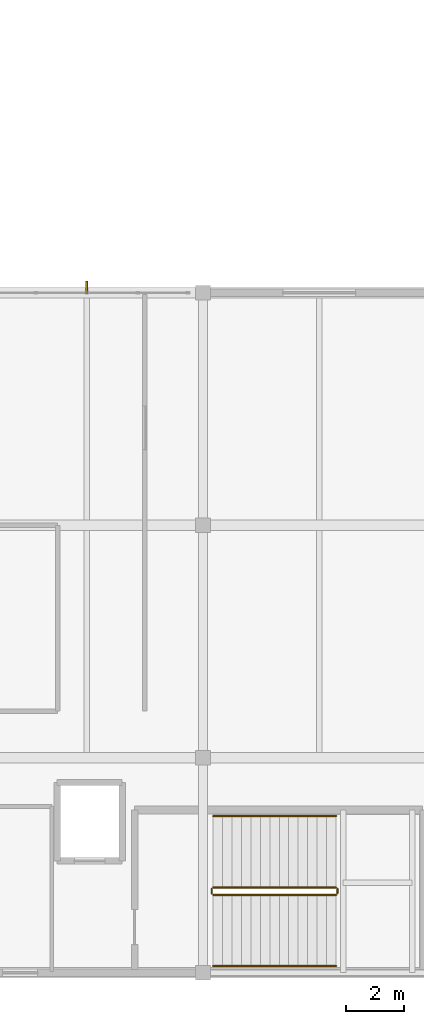
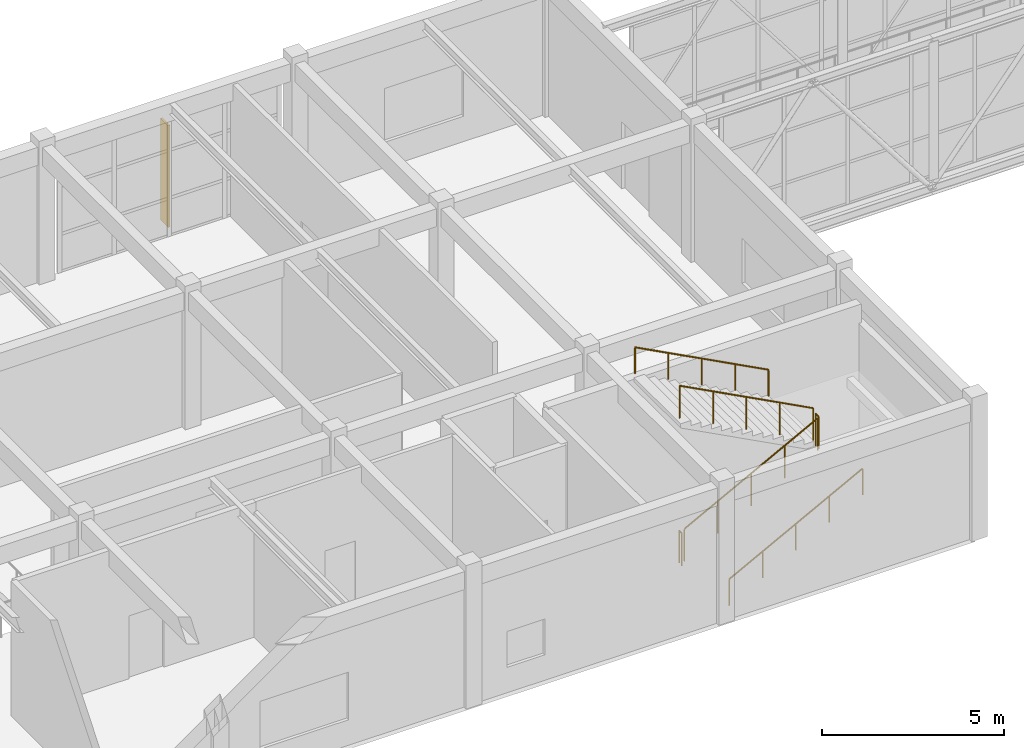
# One storey, part 239 of 248: 6 railings, 1 shading device.
"""IFC4 building model written with IfcOpenShell, lengths in metres."""

from ifc_helpers import new_model, si_unit, direction, frame, origin, origin_2d, place, context, subcontext, project, spatial, rectangle, circle, extrude, material, type_object, element, save


model = new_model("IFC4")

# Units and contexts
model_context = context("Model", 3, precision=1e-05, world=origin(), true_north=direction((0.0, 1.0)))
body_context = subcontext(model_context, "Body", "Model", "MODEL_VIEW")
ifc_project = project(units=[si_unit("LENGTHUNIT", "METRE"), si_unit("AREAUNIT", "SQUARE_METRE"), si_unit("VOLUMEUNIT", "CUBIC_METRE"), si_unit("PLANEANGLEUNIT", "RADIAN"), si_unit("MASSUNIT", "GRAM", prefix="KILO")], contexts=[model_context])

# Site, building, storey
site_placement = place(None, origin())
site = spatial("IfcSite", under=ifc_project, at=site_placement, CompositionType="ELEMENT")
building_placement = place(site_placement, origin())
building = spatial("IfcBuilding", under=site, at=building_placement, Name="Canggui Botanical Conservatory", CompositionType="ELEMENT")
storey_placement = place(building_placement, frame((0.0, 0.0, 5.39990234375)))
storey = spatial("IfcBuildingStorey", under=building, at=storey_placement, Name="L02", CompositionType="ELEMENT", Elevation=5.39990234375)

# Railings
ifc_material_1 = material(Name="Stainless Steel 304", Category="steel")
railing_type_1 = type_object("IfcRailingType", Name="RAIL-GUARD-1100", PredefinedType="BALUSTRADE", material=ifc_material_1)
railing_1_placement = place(storey_placement, frame((58.35009765625, 13.280029296875, 0.171630859375)))
element("IfcRailing", 1, at=railing_1_placement, inside=storey, type_object=railing_type_1, Name="L02 ST-V1 stair guard 1", PredefinedType="BALUSTRADE", context=body_context, shape_type="SweptSolid", body=[
    extrude(circle(Radius=0.02392578125, at=origin_2d()), frame((0.0, 0.0, 1.076171875), z_axis=(0.884494324832, 0.0, 0.466550950423), x_axis=(0.0, 1.0, 0.0)), (0.0, 0.0, 1.0), 4.776611328125),
    extrude(circle(Radius=0.02099609375, at=origin_2d()), origin(), (0.0, 0.0, 1.0), 1.052001953125),
    extrude(circle(Radius=0.02099609375, at=origin_2d()), frame((1.05615234375, 0.0, 0.55712890625)), (0.0, 0.0, 1.0), 1.052001953125),
    extrude(circle(Radius=0.02099609375, at=origin_2d()), frame((2.1123046875, 0.0, 1.1142578125)), (0.0, 0.0, 1.0), 1.052001953125),
    extrude(circle(Radius=0.02099609375, at=origin_2d()), frame((3.168701171875, 0.0, 1.67138671875)), (0.0, 0.0, 1.0), 1.052001953125),
    extrude(circle(Radius=0.02099609375, at=origin_2d()), frame((4.224853515625, 0.0, 2.228515625)), (0.0, 0.0, 1.0), 1.052001953125),
])
railing_2_placement = place(storey_placement, frame((62.625, 13.330078125, 2.400146484375)))
element("IfcRailing", 2, at=railing_2_placement, inside=storey, type_object=railing_type_1, Name="L02 ST-V1 stair guard 2", PredefinedType="BALUSTRADE", context=body_context, shape_type="SweptSolid", body=[
    extrude(circle(Radius=0.02392578125, at=origin_2d()), frame((0.0, 0.0, 1.076171875), z_axis=(0.0, 1.0, 0.0), x_axis=(-1.0, 0.0, 0.0)), (0.0, 0.0, 1.0), 0.159912109375),
    extrude(circle(Radius=0.02099609375, at=origin_2d()), origin(), (0.0, 0.0, 1.0), 1.052001953125),
    extrude(circle(Radius=0.02099609375, at=origin_2d()), frame((0.0, 0.159912109375, 0.0)), (0.0, 0.0, 1.0), 1.052001953125),
])
railing_3_placement = place(storey_placement, frame((62.574951171875, 13.5400390625, 2.571533203125)))
element("IfcRailing", 3, at=railing_3_placement, inside=storey, type_object=railing_type_1, Name="L02 ST-V1 stair guard 3", PredefinedType="BALUSTRADE", context=body_context, shape_type="SweptSolid", body=[
    extrude(circle(Radius=0.02392578125, at=origin_2d()), frame((0.0, 0.0, 1.076171875), z_axis=(-0.884494324832, 0.0, 0.466550950423), x_axis=(0.0, -1.0, 0.0)), (0.0, 0.0, 1.0), 4.776611328125),
    extrude(circle(Radius=0.02099609375, at=origin_2d()), origin(), (0.0, 0.0, 1.0), 1.052001953125),
    extrude(circle(Radius=0.02099609375, at=origin_2d()), frame((-1.05615234375, 0.0, 0.55712890625)), (0.0, 0.0, 1.0), 1.052001953125),
    extrude(circle(Radius=0.02099609375, at=origin_2d()), frame((-2.1123046875, 0.0, 1.1142578125)), (0.0, 0.0, 1.0), 1.052001953125),
    extrude(circle(Radius=0.02099609375, at=origin_2d()), frame((-3.168701171875, 0.0, 1.67138671875)), (0.0, 0.0, 1.0), 1.052001953125),
    extrude(circle(Radius=0.02099609375, at=origin_2d()), frame((-4.224853515625, 0.0, 2.228515625)), (0.0, 0.0, 1.0), 1.052001953125),
])
railing_4_placement = place(storey_placement, frame((58.300048828125, 13.330078125, 0.0)))
element("IfcRailing", 4, at=railing_4_placement, inside=storey, type_object=railing_type_1, Name="L02 ST-V1 stair guard 4", PredefinedType="BALUSTRADE", context=body_context, shape_type="SweptSolid", body=[
    extrude(circle(Radius=0.02392578125, at=origin_2d()), frame((0.0, 0.0, 1.076171875), z_axis=(0.0, 1.0, 0.0), x_axis=(-1.0, 0.0, 0.0)), (0.0, 0.0, 1.0), 0.159912109375),
    extrude(circle(Radius=0.02099609375, at=origin_2d()), origin(), (0.0, 0.0, 1.0), 1.052001953125),
    extrude(circle(Radius=0.02099609375, at=origin_2d()), frame((0.0, 0.159912109375, 0.0)), (0.0, 0.0, 1.0), 1.052001953125),
])
railing_type_2 = type_object("IfcRailingType", Name="RAIL-HAND-900", PredefinedType="HANDRAIL", material=ifc_material_1)
railing_5_placement = place(storey_placement, frame((58.35009765625, 10.830078125, 0.171630859375)))
element("IfcRailing", 5, at=railing_5_placement, inside=storey, type_object=railing_type_2, Name="L02 ST-V1 stair handrail 1", PredefinedType="HANDRAIL", context=body_context, shape_type="SweptSolid", body=[
    extrude(circle(Radius=0.02392578125, at=origin_2d()), frame((0.0, 0.0, 0.8759765625), z_axis=(0.884494324832, 0.0, 0.466550950423), x_axis=(0.0, 1.0, 0.0)), (0.0, 0.0, 1.0), 4.776611328125),
    extrude(circle(Radius=0.02099609375, at=origin_2d()), origin(), (0.0, 0.0, 1.0), 0.851806640625),
    extrude(circle(Radius=0.02099609375, at=origin_2d()), frame((1.05615234375, 0.0, 0.55712890625)), (0.0, 0.0, 1.0), 0.851806640625),
    extrude(circle(Radius=0.02099609375, at=origin_2d()), frame((2.1123046875, 0.0, 1.1142578125)), (0.0, 0.0, 1.0), 0.851806640625),
    extrude(circle(Radius=0.02099609375, at=origin_2d()), frame((3.168701171875, 0.0, 1.67138671875)), (0.0, 0.0, 1.0), 0.851806640625),
    extrude(circle(Radius=0.02099609375, at=origin_2d()), frame((4.224853515625, 0.0, 2.228515625)), (0.0, 0.0, 1.0), 0.851806640625),
])
railing_6_placement = place(storey_placement, frame((62.574951171875, 15.989990234375, 2.571533203125)))
element("IfcRailing", 6, at=railing_6_placement, inside=storey, type_object=railing_type_2, Name="L02 ST-V1 stair handrail 2", PredefinedType="HANDRAIL", context=body_context, shape_type="SweptSolid", body=[
    extrude(circle(Radius=0.02392578125, at=origin_2d()), frame((0.0, 0.0, 0.8759765625), z_axis=(-0.884494324832, 0.0, 0.466550950423), x_axis=(0.0, -1.0, 0.0)), (0.0, 0.0, 1.0), 4.776611328125),
    extrude(circle(Radius=0.02099609375, at=origin_2d()), origin(), (0.0, 0.0, 1.0), 0.851806640625),
    extrude(circle(Radius=0.02099609375, at=origin_2d()), frame((-1.05615234375, 0.0, 0.55712890625)), (0.0, 0.0, 1.0), 0.851806640625),
    extrude(circle(Radius=0.02099609375, at=origin_2d()), frame((-2.1123046875, 0.0, 1.1142578125)), (0.0, 0.0, 1.0), 0.851806640625),
    extrude(circle(Radius=0.02099609375, at=origin_2d()), frame((-3.168701171875, 0.0, 1.67138671875)), (0.0, 0.0, 1.0), 0.851806640625),
    extrude(circle(Radius=0.02099609375, at=origin_2d()), frame((-4.224853515625, 0.0, 2.228515625)), (0.0, 0.0, 1.0), 0.851806640625),
])

# Shading device
ifc_material_2 = material(Name="Anodised Aluminium", Category="aluminium")
shading_device_type = type_object("IfcShadingDeviceType", Name="SHD-FIN01", PredefinedType="AWNING", material=ifc_material_2)
shading_device_placement = place(storey_placement, frame((54.0, 34.195068359375, 0.30517578125), z_axis=(0.0, 0.0, 1.0), x_axis=(1.0, 0.0, 0.0)))
element("IfcShadingDevice", 7, at=shading_device_placement, inside=storey, type_object=shading_device_type, Name="Solar Shading Fin CW-VIS-L02-14", PredefinedType="AWNING", context=body_context, shape_type="SweptSolid", body=[
    extrude(rectangle(XDim=0.06005859375, YDim=0.419921875, at=origin_2d()), origin(), (0.0, 0.0, 1.0), 3.39990234375),
])

save(model, "model.ifc")
